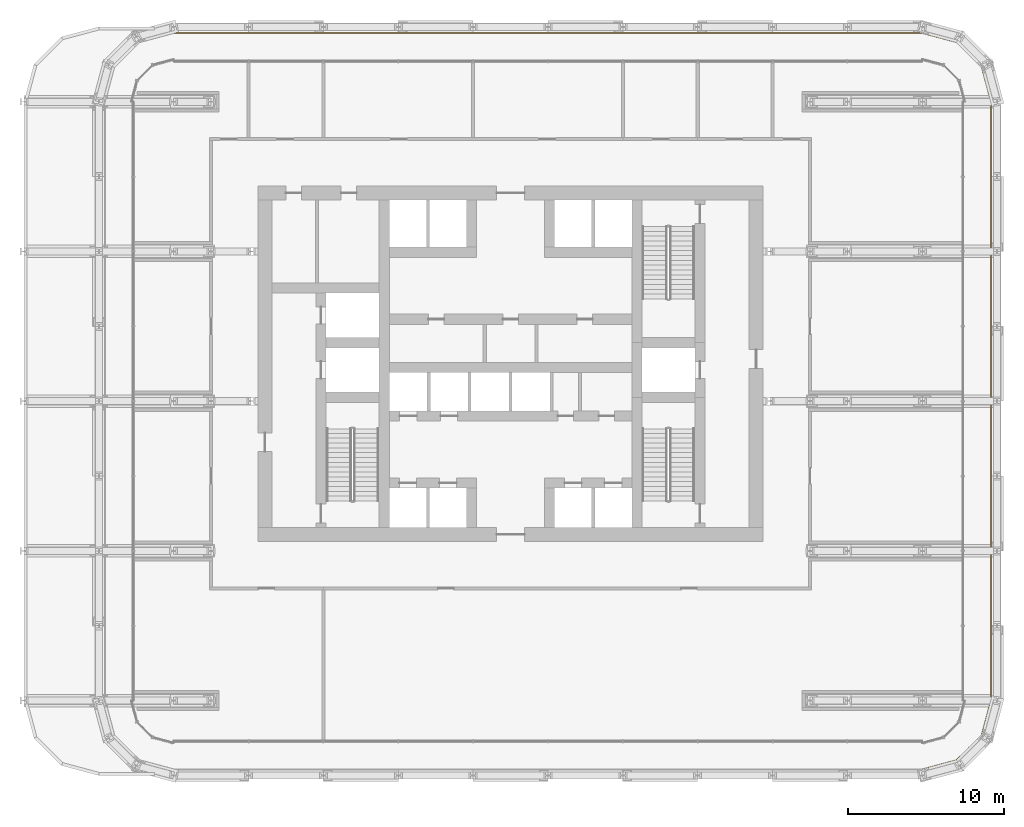
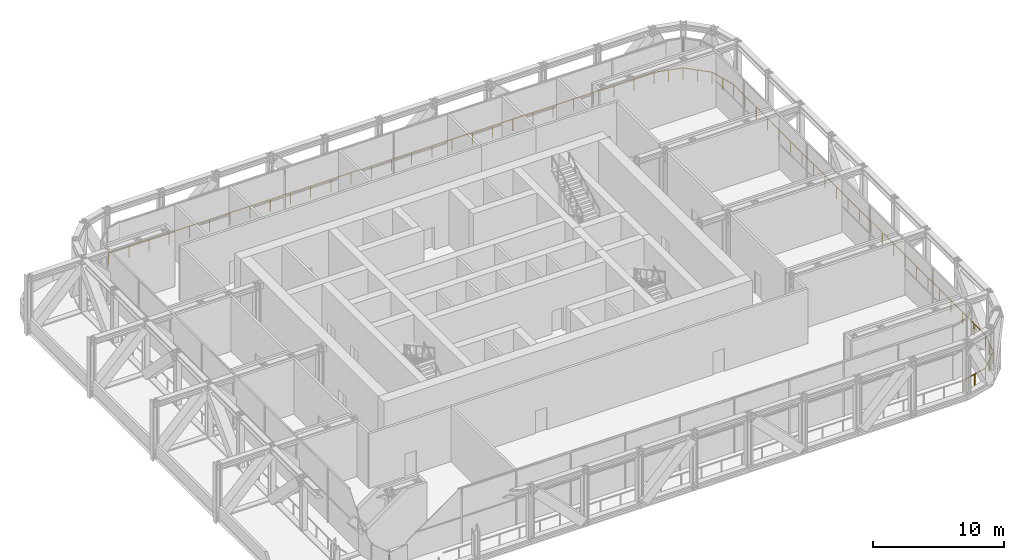
# One storey, part 27 of 30: 1 railing.
"""IFC4 building model written with IfcOpenShell, lengths in metres."""

from ifc_helpers import new_model, si_unit, direction, frame, origin, origin_2d, place, context, subcontext, project, spatial, circle, extrude, material, type_object, element, save


model = new_model("IFC4")

# Units and contexts
model_context = context("Model", 3, precision=1e-05, world=origin(), true_north=direction((0.0, 1.0)))
body_context = subcontext(model_context, "Body", "Model", "MODEL_VIEW")
ifc_project = project(units=[si_unit("LENGTHUNIT", "METRE"), si_unit("AREAUNIT", "SQUARE_METRE"), si_unit("VOLUMEUNIT", "CUBIC_METRE"), si_unit("PLANEANGLEUNIT", "RADIAN"), si_unit("MASSUNIT", "GRAM", prefix="KILO")], contexts=[model_context])

# Site, building, storey
site_placement = place(None, origin())
site = spatial("IfcSite", under=ifc_project, at=site_placement, CompositionType="ELEMENT")
building_placement = place(site_placement, origin())
building = spatial("IfcBuilding", under=site, at=building_placement, Name="Madar Terraces", CompositionType="ELEMENT")
storey_placement = place(building_placement, frame((0.0, 0.0, 53.89990234375)))
storey = spatial("IfcBuildingStorey", under=building, at=storey_placement, Name="L13", CompositionType="ELEMENT", Elevation=53.89990234375)

# Railing
ifc_material = material(Name="Glass, safety glazing, with stainless steel posts", Category="steel")
railing_type = type_object("IfcRailingType", Name="Balcony glass guard 1100", PredefinedType="GUARDRAIL", material=ifc_material)
railing_placement = place(storey_placement, frame((57.60009765625, 0.38623046875, 0.0)))
element("IfcRailing", 1, at=railing_placement, inside=storey, type_object=railing_type, Name="Gallery guard", PredefinedType="GUARDRAIL", context=body_context, shape_type="SweptSolid", body=[
    extrude(circle(Radius=0.02392578125, at=origin_2d()), frame((0.0, 0.0, 1.076171875), z_axis=(0.965925632612, 0.258819767915, 0.0), x_axis=(-0.258819767915, 0.965925632612, 0.0)), (0.0, 0.0, 1.0), 2.28466796875),
    extrude(circle(Radius=0.02392578125, at=origin_2d()), frame((2.206787109375, 0.59130859375, 1.076171875), z_axis=(0.707106781187, 0.707106781187, 0.0), x_axis=(-0.707106781187, 0.707106781187, 0.0)), (0.0, 0.0, 1.0), 2.28466796875),
    extrude(circle(Radius=0.02392578125, at=origin_2d()), frame((3.822265625, 2.206787109375, 1.076171875), z_axis=(0.25889274562, 0.965906075281, 0.0), x_axis=(-0.965906075281, 0.25889274562, 0.0)), (0.0, 0.0, 1.0), 2.284912109375),
    extrude(circle(Radius=0.02392578125, at=origin_2d()), frame((4.413818359375, 4.413818359375, 1.076171875), z_axis=(0.0, 1.0, 0.0), x_axis=(-1.0, 0.0, 0.0)), (0.0, 0.0, 1.0), 38.39990234375),
    extrude(circle(Radius=0.02392578125, at=origin_2d()), frame((4.413818359375, 42.813720703125, 1.076171875), z_axis=(-0.25889274562, 0.965906075281, 0.0), x_axis=(-0.965906075281, -0.25889274562, 0.0)), (0.0, 0.0, 1.0), 2.284912109375),
    extrude(circle(Radius=0.02392578125, at=origin_2d()), frame((3.822265625, 45.020751953125, 1.076171875), z_axis=(-0.707106781187, 0.707106781187, 0.0), x_axis=(-0.707106781187, -0.707106781187, 0.0)), (0.0, 0.0, 1.0), 2.28466796875),
    extrude(circle(Radius=0.02392578125, at=origin_2d()), frame((2.206787109375, 46.63623046875, 1.076171875), z_axis=(-0.965925632612, 0.258819767915, 0.0), x_axis=(-0.258819767915, -0.965925632612, 0.0)), (0.0, 0.0, 1.0), 2.28466796875),
    extrude(circle(Radius=0.02392578125, at=origin_2d()), frame((0.0, 47.2275390625, 1.076171875), z_axis=(-1.0, 0.0, 0.0), x_axis=(0.0, -1.0, 0.0)), (0.0, 0.0, 1.0), 48.0),
    extrude(circle(Radius=0.02099609375, at=origin_2d()), origin(), (0.0, 0.0, 1.0), 1.052001953125),
    extrude(circle(Radius=0.02099609375, at=origin_2d()), frame((1.103515625, 0.295654296875, 0.0)), (0.0, 0.0, 1.0), 1.052001953125),
    extrude(circle(Radius=0.02099609375, at=origin_2d()), frame((2.206787109375, 0.59130859375, 0.0)), (0.0, 0.0, 1.0), 1.052001953125),
    extrude(circle(Radius=0.02099609375, at=origin_2d()), frame((3.0146484375, 1.39892578125, 0.0)), (0.0, 0.0, 1.0), 1.052001953125),
    extrude(circle(Radius=0.02099609375, at=origin_2d()), frame((3.822265625, 2.206787109375, 0.0)), (0.0, 0.0, 1.0), 1.052001953125),
    extrude(circle(Radius=0.02099609375, at=origin_2d()), frame((4.1181640625, 3.310302734375, 0.0)), (0.0, 0.0, 1.0), 1.052001953125),
    extrude(circle(Radius=0.02099609375, at=origin_2d()), frame((4.413818359375, 4.413818359375, 0.0)), (0.0, 0.0, 1.0), 1.052001953125),
    extrude(circle(Radius=0.02099609375, at=origin_2d()), frame((4.413818359375, 6.1591796875, 0.0)), (0.0, 0.0, 1.0), 1.052001953125),
    extrude(circle(Radius=0.02099609375, at=origin_2d()), frame((4.413818359375, 7.90478515625, 0.0)), (0.0, 0.0, 1.0), 1.052001953125),
    extrude(circle(Radius=0.02099609375, at=origin_2d()), frame((4.413818359375, 9.650146484375, 0.0)), (0.0, 0.0, 1.0), 1.052001953125),
    extrude(circle(Radius=0.02099609375, at=origin_2d()), frame((4.413818359375, 11.3955078125, 0.0)), (0.0, 0.0, 1.0), 1.052001953125),
    extrude(circle(Radius=0.02099609375, at=origin_2d()), frame((4.413818359375, 13.14111328125, 0.0)), (0.0, 0.0, 1.0), 1.052001953125),
    extrude(circle(Radius=0.02099609375, at=origin_2d()), frame((4.413818359375, 14.886474609375, 0.0)), (0.0, 0.0, 1.0), 1.052001953125),
    extrude(circle(Radius=0.02099609375, at=origin_2d()), frame((4.413818359375, 16.632080078125, 0.0)), (0.0, 0.0, 1.0), 1.052001953125),
    extrude(circle(Radius=0.02099609375, at=origin_2d()), frame((4.413818359375, 18.37744140625, 0.0)), (0.0, 0.0, 1.0), 1.052001953125),
    extrude(circle(Radius=0.02099609375, at=origin_2d()), frame((4.413818359375, 20.122802734375, 0.0)), (0.0, 0.0, 1.0), 1.052001953125),
    extrude(circle(Radius=0.02099609375, at=origin_2d()), frame((4.413818359375, 21.868408203125, 0.0)), (0.0, 0.0, 1.0), 1.052001953125),
    extrude(circle(Radius=0.02099609375, at=origin_2d()), frame((4.413818359375, 23.61376953125, 0.0)), (0.0, 0.0, 1.0), 1.052001953125),
    extrude(circle(Radius=0.02099609375, at=origin_2d()), frame((4.413818359375, 25.359130859375, 0.0)), (0.0, 0.0, 1.0), 1.052001953125),
    extrude(circle(Radius=0.02099609375, at=origin_2d()), frame((4.413818359375, 27.104736328125, 0.0)), (0.0, 0.0, 1.0), 1.052001953125),
    extrude(circle(Radius=0.02099609375, at=origin_2d()), frame((4.413818359375, 28.85009765625, 0.0)), (0.0, 0.0, 1.0), 1.052001953125),
    extrude(circle(Radius=0.02099609375, at=origin_2d()), frame((4.413818359375, 30.595458984375, 0.0)), (0.0, 0.0, 1.0), 1.052001953125),
    extrude(circle(Radius=0.02099609375, at=origin_2d()), frame((4.413818359375, 32.341064453125, 0.0)), (0.0, 0.0, 1.0), 1.052001953125),
    extrude(circle(Radius=0.02099609375, at=origin_2d()), frame((4.413818359375, 34.08642578125, 0.0)), (0.0, 0.0, 1.0), 1.052001953125),
    extrude(circle(Radius=0.02099609375, at=origin_2d()), frame((4.413818359375, 35.83203125, 0.0)), (0.0, 0.0, 1.0), 1.052001953125),
    extrude(circle(Radius=0.02099609375, at=origin_2d()), frame((4.413818359375, 37.577392578125, 0.0)), (0.0, 0.0, 1.0), 1.052001953125),
    extrude(circle(Radius=0.02099609375, at=origin_2d()), frame((4.413818359375, 39.32275390625, 0.0)), (0.0, 0.0, 1.0), 1.052001953125),
    extrude(circle(Radius=0.02099609375, at=origin_2d()), frame((4.413818359375, 41.068359375, 0.0)), (0.0, 0.0, 1.0), 1.052001953125),
    extrude(circle(Radius=0.02099609375, at=origin_2d()), frame((4.413818359375, 42.813720703125, 0.0)), (0.0, 0.0, 1.0), 1.052001953125),
    extrude(circle(Radius=0.02099609375, at=origin_2d()), frame((4.1181640625, 43.917236328125, 0.0)), (0.0, 0.0, 1.0), 1.052001953125),
    extrude(circle(Radius=0.02099609375, at=origin_2d()), frame((3.822265625, 45.020751953125, 0.0)), (0.0, 0.0, 1.0), 1.052001953125),
    extrude(circle(Radius=0.02099609375, at=origin_2d()), frame((3.0146484375, 45.82861328125, 0.0)), (0.0, 0.0, 1.0), 1.052001953125),
    extrude(circle(Radius=0.02099609375, at=origin_2d()), frame((2.206787109375, 46.63623046875, 0.0)), (0.0, 0.0, 1.0), 1.052001953125),
    extrude(circle(Radius=0.02099609375, at=origin_2d()), frame((1.103515625, 46.931884765625, 0.0)), (0.0, 0.0, 1.0), 1.052001953125),
    extrude(circle(Radius=0.02099609375, at=origin_2d()), frame((0.0, 47.2275390625, 0.0)), (0.0, 0.0, 1.0), 1.052001953125),
    extrude(circle(Radius=0.02099609375, at=origin_2d()), frame((-1.77783203125, 47.2275390625, 0.0)), (0.0, 0.0, 1.0), 1.052001953125),
    extrude(circle(Radius=0.02099609375, at=origin_2d()), frame((-3.5556640625, 47.2275390625, 0.0)), (0.0, 0.0, 1.0), 1.052001953125),
    extrude(circle(Radius=0.02099609375, at=origin_2d()), frame((-5.333251953125, 47.2275390625, 0.0)), (0.0, 0.0, 1.0), 1.052001953125),
    extrude(circle(Radius=0.02099609375, at=origin_2d()), frame((-7.111083984375, 47.2275390625, 0.0)), (0.0, 0.0, 1.0), 1.052001953125),
    extrude(circle(Radius=0.02099609375, at=origin_2d()), frame((-8.888916015625, 47.2275390625, 0.0)), (0.0, 0.0, 1.0), 1.052001953125),
    extrude(circle(Radius=0.02099609375, at=origin_2d()), frame((-10.666748046875, 47.2275390625, 0.0)), (0.0, 0.0, 1.0), 1.052001953125),
    extrude(circle(Radius=0.02099609375, at=origin_2d()), frame((-12.4443359375, 47.2275390625, 0.0)), (0.0, 0.0, 1.0), 1.052001953125),
    extrude(circle(Radius=0.02099609375, at=origin_2d()), frame((-14.22216796875, 47.2275390625, 0.0)), (0.0, 0.0, 1.0), 1.052001953125),
    extrude(circle(Radius=0.02099609375, at=origin_2d()), frame((-16.0, 47.2275390625, 0.0)), (0.0, 0.0, 1.0), 1.052001953125),
    extrude(circle(Radius=0.02099609375, at=origin_2d()), frame((-17.77783203125, 47.2275390625, 0.0)), (0.0, 0.0, 1.0), 1.052001953125),
    extrude(circle(Radius=0.02099609375, at=origin_2d()), frame((-19.5556640625, 47.2275390625, 0.0)), (0.0, 0.0, 1.0), 1.052001953125),
    extrude(circle(Radius=0.02099609375, at=origin_2d()), frame((-21.333251953125, 47.2275390625, 0.0)), (0.0, 0.0, 1.0), 1.052001953125),
    extrude(circle(Radius=0.02099609375, at=origin_2d()), frame((-23.111083984375, 47.2275390625, 0.0)), (0.0, 0.0, 1.0), 1.052001953125),
    extrude(circle(Radius=0.02099609375, at=origin_2d()), frame((-24.888916015625, 47.2275390625, 0.0)), (0.0, 0.0, 1.0), 1.052001953125),
    extrude(circle(Radius=0.02099609375, at=origin_2d()), frame((-26.666748046875, 47.2275390625, 0.0)), (0.0, 0.0, 1.0), 1.052001953125),
    extrude(circle(Radius=0.02099609375, at=origin_2d()), frame((-28.4443359375, 47.2275390625, 0.0)), (0.0, 0.0, 1.0), 1.052001953125),
    extrude(circle(Radius=0.02099609375, at=origin_2d()), frame((-30.22216796875, 47.2275390625, 0.0)), (0.0, 0.0, 1.0), 1.052001953125),
    extrude(circle(Radius=0.02099609375, at=origin_2d()), frame((-32.0, 47.2275390625, 0.0)), (0.0, 0.0, 1.0), 1.052001953125),
    extrude(circle(Radius=0.02099609375, at=origin_2d()), frame((-33.77783203125, 47.2275390625, 0.0)), (0.0, 0.0, 1.0), 1.052001953125),
    extrude(circle(Radius=0.02099609375, at=origin_2d()), frame((-35.5556640625, 47.2275390625, 0.0)), (0.0, 0.0, 1.0), 1.052001953125),
    extrude(circle(Radius=0.02099609375, at=origin_2d()), frame((-37.333251953125, 47.2275390625, 0.0)), (0.0, 0.0, 1.0), 1.052001953125),
    extrude(circle(Radius=0.02099609375, at=origin_2d()), frame((-39.111083984375, 47.2275390625, 0.0)), (0.0, 0.0, 1.0), 1.052001953125),
    extrude(circle(Radius=0.02099609375, at=origin_2d()), frame((-40.888916015625, 47.2275390625, 0.0)), (0.0, 0.0, 1.0), 1.052001953125),
    extrude(circle(Radius=0.02099609375, at=origin_2d()), frame((-42.666748046875, 47.2275390625, 0.0)), (0.0, 0.0, 1.0), 1.052001953125),
    extrude(circle(Radius=0.02099609375, at=origin_2d()), frame((-44.4443359375, 47.2275390625, 0.0)), (0.0, 0.0, 1.0), 1.052001953125),
    extrude(circle(Radius=0.02099609375, at=origin_2d()), frame((-46.22216796875, 47.2275390625, 0.0)), (0.0, 0.0, 1.0), 1.052001953125),
    extrude(circle(Radius=0.02099609375, at=origin_2d()), frame((-48.0, 47.2275390625, 0.0)), (0.0, 0.0, 1.0), 1.052001953125),
])

save(model, "model.ifc")
